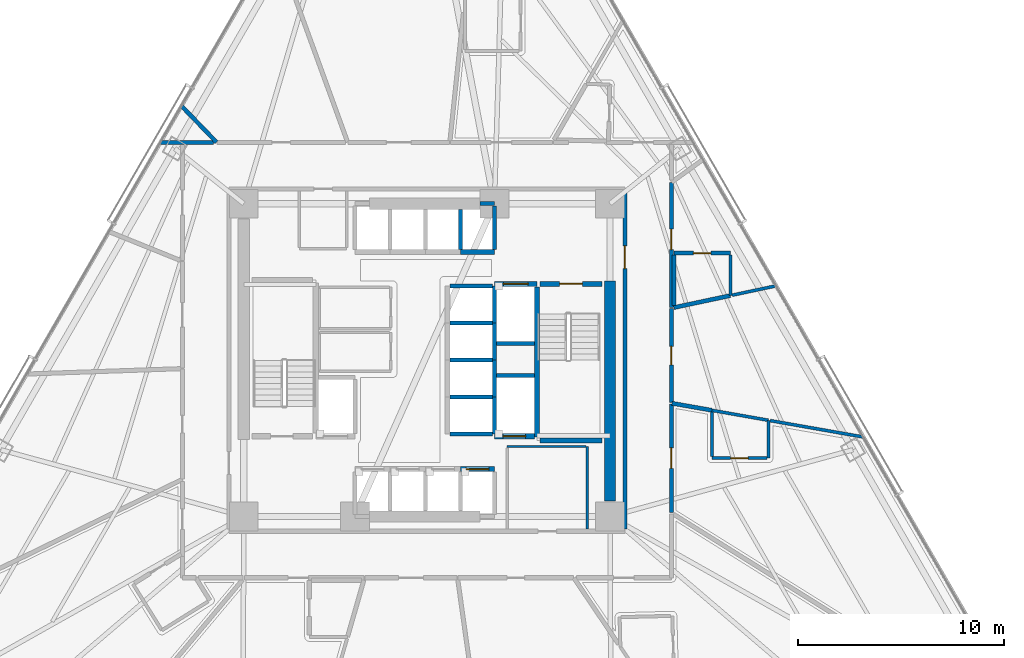
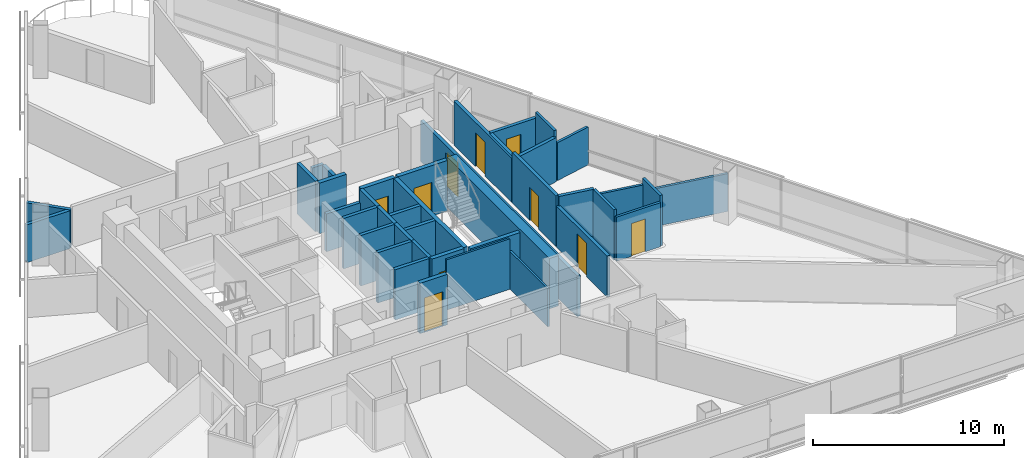
# One storey, part 9 of 17: 41 walls, 10 doors, 10 openings.
"""IFC4 building model written with IfcOpenShell, lengths in metres."""

from ifc_helpers import new_model, si_unit, direction, frame, frame_2d, origin, place, context, subcontext, project, spatial, rectangle, extrude, material, layer, layer_set, type_object, element, fill, save


model = new_model("IFC4")

# Units and contexts
model_context = context("Model", 3, precision=1e-05, world=origin(), true_north=direction((0.0, 1.0)))
body_context = subcontext(model_context, "Body", "Model", "MODEL_VIEW")
ifc_project = project(units=[si_unit("LENGTHUNIT", "METRE"), si_unit("AREAUNIT", "SQUARE_METRE"), si_unit("VOLUMEUNIT", "CUBIC_METRE"), si_unit("PLANEANGLEUNIT", "RADIAN"), si_unit("MASSUNIT", "GRAM", prefix="KILO")], contexts=[model_context])

# Site, building, storey
site_placement = place(None, origin())
site = spatial("IfcSite", under=ifc_project, at=site_placement, CompositionType="ELEMENT")
building_placement = place(site_placement, origin())
building = spatial("IfcBuilding", under=site, at=building_placement, Name="Tharavind Bronze Gate", CompositionType="ELEMENT")
storey_placement = place(building_placement, frame((0.0, 0.0, 35.25)))
storey = spatial("IfcBuildingStorey", under=building, at=storey_placement, Name="L07", CompositionType="ELEMENT", Elevation=35.25)

# Wall, opening, door
ifc_material_1 = material(Name="Aerated Concrete Block", Category="concrete")
ifc_layer_1 = layer(ifc_material_1, 0.199951171875)
ifc_layer_set_1 = layer_set([ifc_layer_1], Name="Aerated Concrete Block")
wall_type_1 = type_object("IfcWallType", Name="FIRE RATED PARTITION 200", PredefinedType="PARTITIONING", material=ifc_layer_set_1)
wall_1_placement = place(storey_placement, frame((9.6201171875, -8.199951171875, 0.0), z_axis=(0.0, 0.0, 1.0), x_axis=(0.0, 1.0, 0.0)))
wall_1 = element("IfcWall", 1, at=wall_1_placement, inside=storey, type_object=wall_type_1, Name="L07 east core corridor wall", PredefinedType="PARTITIONING", context=body_context, shape_type="SweptSolid", body=[
    extrude(rectangle(XDim=16.39990234375, YDim=0.199951171875, at=frame_2d((8.199951171875, 0.0))), origin(), (0.0, 0.0, 1.0), 2.6201171875),
])
opening_1_placement = place(wall_1_placement, frame((12.64990234375, 0.0, 0.0)))
opening_1 = element("IfcOpeningElement", 2, at=opening_1_placement, cuts=wall_1, Name="Opening ID01", PredefinedType="OPENING", context=body_context, shape_type="SweptSolid", body=[
    extrude(rectangle(XDim=1.10009765625, YDim=2.14990234375, at=frame_2d((0.550048828125, 1.074951171875))), frame((0.0, 0.11009765625, 0.0), z_axis=(0.0, -1.0, 0.0), x_axis=(1.0, 0.0, 0.0)), (0.0, 0.0, 1.0), 0.219951171875),
])
ifc_material_2 = material(Name="Fire-Rated Steel", Category="steel")
door_type_1 = type_object("IfcDoorType", Name="STAIR CORE FIRE DOOR 1100X2150", OperationType="SINGLE_SWING_LEFT", PredefinedType="DOOR", material=ifc_material_2)
door_1_placement = place(opening_1_placement, frame((1.10009765625, 0.0, 0.0), z_axis=(0.0, 0.0, 1.0), x_axis=(-1.0, 0.0, 0.0)))
door_1 = element("IfcDoor", 3, at=door_1_placement, inside=storey, type_object=door_type_1, Name="L07 north east stair lobby fire door", OperationType="SINGLE_SWING_LEFT", OverallHeight=2.14990234375, OverallWidth=1.10009765625, PredefinedType="DOOR", context=body_context, shape_type="SweptSolid", body=[
    extrude(rectangle(XDim=1.10009765625, YDim=2.14990234375, at=frame_2d((0.550048828125, 1.074951171875))), frame((0.0, 0.02490234375, 0.0), z_axis=(0.0, -1.0, 0.0), x_axis=(1.0, 0.0, 0.0)), (0.0, 0.0, 1.0), 0.050048828125),
])
fill(opening_1, door_1)

wall_2_placement = place(storey_placement, frame((12.0, 5.20068359375, 0.0), z_axis=(0.0, 0.0, 1.0), x_axis=(1.0, 0.0, 0.0)))
wall_2 = element("IfcWall", 4, at=wall_2_placement, inside=storey, type_object=wall_type_1, Name="L07 En-Suite Bathroom partition", PredefinedType="PARTITIONING", context=body_context, shape_type="SweptSolid", body=[
    extrude(rectangle(XDim=2.75, YDim=0.199951171875, at=frame_2d((1.375, 0.0))), origin(), (0.0, 0.0, 1.0), 2.820068359375),
])
opening_2_placement = place(wall_2_placement, frame((0.949951171875, 0.0, 0.0)))
opening_2 = element("IfcOpeningElement", 5, at=opening_2_placement, cuts=wall_2, Name="Opening ID06", PredefinedType="OPENING", context=body_context, shape_type="SweptSolid", body=[
    extrude(rectangle(XDim=0.85009765625, YDim=2.10009765625, at=frame_2d((0.425048828125, 1.050048828125))), frame((0.0, 0.11009765625, 0.0), z_axis=(0.0, -1.0, 0.0), x_axis=(1.0, 0.0, 0.0)), (0.0, 0.0, 1.0), 0.219951171875),
])
ifc_material_3 = material(Name="Moisture-Resistant Timber", Category="wood")
door_type_2 = type_object("IfcDoorType", Name="BATHROOM PRIVACY DOOR 850X2100", OperationType="SINGLE_SWING_RIGHT", PredefinedType="DOOR", material=ifc_material_3)
door_2_placement = place(opening_2_placement, origin())
door_2 = element("IfcDoor", 6, at=door_2_placement, inside=storey, type_object=door_type_2, Name="L07 En-Suite Bathroom door", OperationType="SINGLE_SWING_RIGHT", OverallHeight=2.10009765625, OverallWidth=0.85009765625, PredefinedType="DOOR", context=body_context, shape_type="SweptSolid", body=[
    extrude(rectangle(XDim=0.85009765625, YDim=2.10009765625, at=frame_2d((0.425048828125, 1.050048828125))), frame((0.0, 0.02490234375, 0.0), z_axis=(0.0, -1.0, 0.0), x_axis=(1.0, 0.0, 0.0)), (0.0, 0.0, 1.0), 0.050048828125),
])
fill(opening_2, door_2)

# Walls
wall_3_placement = place(storey_placement, frame((14.75, 3.13525390625, 0.0), z_axis=(0.0, 0.0, 1.0), x_axis=(-0.978151787969, -0.207891990447, 0.0)))
element("IfcWall", 7, at=wall_3_placement, inside=storey, type_object=wall_type_1, Name="L07 En-Suite Bathroom partition", PredefinedType="PARTITIONING", context=body_context, shape_type="SweptSolid", body=[
    extrude(rectangle(XDim=2.8115234375, YDim=0.199951171875, at=frame_2d((1.40576171875, 0.0))), origin(), (0.0, 0.0, 1.0), 2.820068359375),
])
wall_4_placement = place(storey_placement, frame((12.0, 2.657958984375, 0.0), z_axis=(0.0, 0.0, 1.0), x_axis=(0.0, 1.0, 0.0)))
element("IfcWall", 8, at=wall_4_placement, inside=storey, type_object=wall_type_1, Name="L07 En-Suite Bathroom partition", PredefinedType="PARTITIONING", context=body_context, shape_type="SweptSolid", body=[
    extrude(rectangle(XDim=2.437744140625, YDim=0.199951171875, at=frame_2d((1.21875, 0.0))), origin(), (0.0, 0.0, 1.0), 2.820068359375),
])

# Wall, opening, door
wall_5_placement = place(storey_placement, frame((11.8798828125, 2.555908203125, 0.0), z_axis=(0.0, 0.0, 1.0), x_axis=(0.0, 1.0, 0.0)))
wall_5 = element("IfcWall", 9, at=wall_5_placement, inside=storey, type_object=wall_type_1, Name="L07 Hotel Deluxe Room partition", PredefinedType="PARTITIONING", context=body_context, shape_type="SweptSolid", body=[
    extrude(rectangle(XDim=6.062744140625, YDim=0.199951171875, at=frame_2d((3.03125, 0.0))), origin(), (0.0, 0.0, 1.0), 2.820068359375),
])
opening_3_placement = place(wall_5_placement, frame((2.81103515625, 0.0, 0.0)))
opening_3 = element("IfcOpeningElement", 10, at=opening_3_placement, cuts=wall_5, Name="Opening ID03", PredefinedType="OPENING", context=body_context, shape_type="SweptSolid", body=[
    extrude(rectangle(XDim=1.0, YDim=2.14990234375, at=frame_2d((0.5, 1.074951171875))), frame((0.0, 0.11009765625, 0.0), z_axis=(0.0, -1.0, 0.0), x_axis=(1.0, 0.0, 0.0)), (0.0, 0.0, 1.0), 0.219951171875),
])
ifc_material_4 = material(Name="Solid Timber Veneer", Category="wood")
door_type_3 = type_object("IfcDoorType", Name="HOTEL SUITE ENTRANCE DOOR 1000X2150", OperationType="SINGLE_SWING_LEFT", PredefinedType="DOOR", material=ifc_material_4)
door_3_placement = place(opening_3_placement, origin())
door_3 = element("IfcDoor", 11, at=door_3_placement, inside=storey, type_object=door_type_3, Name="L07 Hotel Deluxe Room door", OperationType="SINGLE_SWING_LEFT", OverallHeight=2.14990234375, OverallWidth=1.0, PredefinedType="DOOR", context=body_context, shape_type="SweptSolid", body=[
    extrude(rectangle(XDim=1.0, YDim=2.14990234375, at=frame_2d((0.5, 1.074951171875))), frame((0.0, 0.02490234375, 0.0), z_axis=(0.0, -1.0, 0.0), x_axis=(1.0, 0.0, 0.0)), (0.0, 0.0, 1.0), 0.050048828125),
])
fill(opening_3, door_3)

# Walls
wall_6_placement = place(storey_placement, frame((-10.224365234375, 10.587646484375, 0.0), z_axis=(0.0, 0.0, 1.0), x_axis=(-0.694628613474, 0.719368535135, 0.0)))
element("IfcWall", 12, at=wall_6_placement, inside=storey, type_object=wall_type_1, Name="L07 Housekeeping & Linen Room partition", PredefinedType="PARTITIONING", context=body_context, shape_type="SweptSolid", body=[
    extrude(rectangle(XDim=2.427490234375, YDim=0.199951171875, at=frame_2d((1.2138671875, 0.0))), origin(), (0.0, 0.0, 1.0), 2.419921875),
])
wall_7_placement = place(storey_placement, frame((-10.363037109375, 10.580078125, 0.0), z_axis=(0.0, 0.0, 1.0), x_axis=(-1.0, 0.0, 0.0)))
element("IfcWall", 13, at=wall_7_placement, inside=storey, type_object=wall_type_1, Name="L07 Hotel Guest Lounge partition", PredefinedType="PARTITIONING", context=body_context, shape_type="SweptSolid", body=[
    extrude(rectangle(XDim=2.5810546875, YDim=0.199951171875, at=frame_2d((1.29052734375, 0.0))), origin(), (0.0, 0.0, 1.0), 2.419921875),
])

# Wall, opening, door
wall_8_placement = place(storey_placement, frame((11.8798828125, -7.40966796875, 0.0), z_axis=(0.0, 0.0, 1.0), x_axis=(0.0, 1.0, 0.0)))
wall_8 = element("IfcWall", 14, at=wall_8_placement, inside=storey, type_object=wall_type_1, Name="L07 Deluxe Hotel Suite partition", PredefinedType="PARTITIONING", context=body_context, shape_type="SweptSolid", body=[
    extrude(rectangle(XDim=5.28515625, YDim=0.199951171875, at=frame_2d((2.642578125, 0.0))), origin(), (0.0, 0.0, 1.0), 2.6201171875),
])
opening_4_placement = place(wall_8_placement, frame((2.14306640625, 0.0, 0.0)))
opening_4 = element("IfcOpeningElement", 15, at=opening_4_placement, cuts=wall_8, Name="Opening ID03", PredefinedType="OPENING", context=body_context, shape_type="SweptSolid", body=[
    extrude(rectangle(XDim=1.0, YDim=2.14990234375, at=frame_2d((0.5, 1.074951171875))), frame((0.0, 0.11009765625, 0.0), z_axis=(0.0, -1.0, 0.0), x_axis=(1.0, 0.0, 0.0)), (0.0, 0.0, 1.0), 0.219951171875),
])
door_4_placement = place(opening_4_placement, origin())
door_4 = element("IfcDoor", 16, at=door_4_placement, inside=storey, type_object=door_type_3, Name="L07 Deluxe Hotel Suite door", OperationType="SINGLE_SWING_LEFT", OverallHeight=2.14990234375, OverallWidth=1.0, PredefinedType="DOOR", context=body_context, shape_type="SweptSolid", body=[
    extrude(rectangle(XDim=1.0, YDim=2.14990234375, at=frame_2d((0.5, 1.074951171875))), frame((0.0, 0.02490234375, 0.0), z_axis=(0.0, -1.0, 0.0), x_axis=(1.0, 0.0, 0.0)), (0.0, 0.0, 1.0), 0.050048828125),
])
fill(opening_4, door_4)

# Wall
wall_9_placement = place(storey_placement, frame((11.9091796875, -2.099853515625, 0.0), z_axis=(0.0, 0.0, 1.0), x_axis=(0.984803505292, -0.173672265965, 0.0)))
element("IfcWall", 17, at=wall_9_placement, inside=storey, type_object=wall_type_1, Name="L07 Deluxe Hotel Suite partition", PredefinedType="PARTITIONING", context=body_context, shape_type="SweptSolid", body=[
    extrude(rectangle(XDim=1.970947265625, YDim=0.199951171875, at=frame_2d((0.9853515625, 0.0))), origin(), (0.0, 0.0, 1.0), 3.22509765625),
])

# Wall, opening, door
wall_10_placement = place(storey_placement, frame((11.8798828125, -2.07373046875, 0.0), z_axis=(0.0, 0.0, 1.0), x_axis=(0.0, 1.0, 0.0)))
wall_10 = element("IfcWall", 18, at=wall_10_placement, inside=storey, type_object=wall_type_1, Name="L07 Tea Pantry partition", PredefinedType="PARTITIONING", context=body_context, shape_type="SweptSolid", body=[
    extrude(rectangle(XDim=4.57861328125, YDim=0.199951171875, at=frame_2d((2.289306640625, 0.0))), origin(), (0.0, 0.0, 1.0), 3.22509765625),
])
opening_5_placement = place(wall_10_placement, frame((1.839111328125, 0.0, 0.0)))
opening_5 = element("IfcOpeningElement", 19, at=opening_5_placement, cuts=wall_10, Name="Opening ID07", PredefinedType="OPENING", context=body_context, shape_type="SweptSolid", body=[
    extrude(rectangle(XDim=0.89990234375, YDim=2.10009765625, at=frame_2d((0.449951171875, 1.050048828125))), frame((0.0, 0.11009765625, 0.0), z_axis=(0.0, -1.0, 0.0), x_axis=(1.0, 0.0, 0.0)), (0.0, 0.0, 1.0), 0.219951171875),
])
ifc_material_5 = material(Name="Galvanised Fire Steel", Category="steel")
door_type_4 = type_object("IfcDoorType", Name="PLANT AND RISER FIRE DOOR 900X2100", OperationType="SINGLE_SWING_LEFT", PredefinedType="DOOR", material=ifc_material_5)
door_5_placement = place(opening_5_placement, origin())
door_5 = element("IfcDoor", 20, at=door_5_placement, inside=storey, type_object=door_type_4, Name="L07 Tea Pantry door", OperationType="SINGLE_SWING_LEFT", OverallHeight=2.10009765625, OverallWidth=0.89990234375, PredefinedType="DOOR", context=body_context, shape_type="SweptSolid", body=[
    extrude(rectangle(XDim=0.89990234375, YDim=2.10009765625, at=frame_2d((0.449951171875, 1.050048828125))), frame((0.0, 0.02490234375, 0.0), z_axis=(0.0, -1.0, 0.0), x_axis=(1.0, 0.0, 0.0)), (0.0, 0.0, 1.0), 0.050048828125),
])
fill(opening_5, door_5)

# Walls
ifc_material_6 = material(Name="Metal Stud Gypsum Partition", Category="gypsum")
ifc_layer_2 = layer(ifc_material_6, 0.1201171875)
ifc_layer_set_2 = layer_set([ifc_layer_2], Name="Metal Stud Gypsum Partition")
wall_type_2 = type_object("IfcWallType", Name="INTERIOR PARTITION WALL 120", PredefinedType="PARTITIONING", material=ifc_layer_set_2)
wall_11_placement = place(storey_placement, frame((7.800048828125, -8.215087890625, 0.0), z_axis=(0.0, 0.0, 1.0), x_axis=(0.0, 1.0, 0.0)))
element("IfcWall", 21, at=wall_11_placement, inside=storey, type_object=wall_type_2, Name="L07 Telecom Metering Room partition 2", PredefinedType="PARTITIONING", context=body_context, shape_type="SweptSolid", body=[
    extrude(rectangle(XDim=4.01513671875, YDim=0.1201171875, at=frame_2d((2.007568359375, 0.0))), origin(), (0.0, 0.0, 1.0), 2.419921875),
])
wall_12_placement = place(storey_placement, frame((7.735107421875, -4.199951171875, 0.0), z_axis=(0.0, 0.0, 1.0), x_axis=(-1.0, 0.0, 0.0)))
element("IfcWall", 22, at=wall_12_placement, inside=storey, type_object=wall_type_2, Name="L07 Telecom Metering Room partition 3", PredefinedType="PARTITIONING", context=body_context, shape_type="SweptSolid", body=[
    extrude(rectangle(XDim=3.835205078125, YDim=0.1201171875, at=frame_2d((1.91748046875, 0.0))), origin(), (0.0, 0.0, 1.0), 3.22509765625),
])
ifc_material_7 = material(Name="Twin Stud Acoustic Gypsum", Category="gypsum")
ifc_layer_3 = layer(ifc_material_7, 0.14990234375)
ifc_layer_set_3 = layer_set([ifc_layer_3], Name="Twin Stud Acoustic Gypsum")
wall_type_3 = type_object("IfcWallType", Name="INTERIOR PARTITION WALL 150", PredefinedType="PARTITIONING", material=ifc_layer_set_3)
wall_13_placement = place(storey_placement, frame((14.75, 5.095703125, 0.0), z_axis=(0.0, 0.0, 1.0), x_axis=(0.0, -1.0, 0.0)))
element("IfcWall", 23, at=wall_13_placement, inside=storey, type_object=wall_type_3, Name="L07 En-Suite Bathroom partition", PredefinedType="PARTITIONING", context=body_context, shape_type="SweptSolid", body=[
    extrude(rectangle(XDim=1.96044921875, YDim=0.14990234375, at=frame_2d((0.980224609375, 0.0))), origin(), (0.0, 0.0, 1.0), 3.22509765625),
])
wall_14_placement = place(storey_placement, frame((13.85009765625, -2.442138671875, 0.0), z_axis=(0.0, 0.0, 1.0), x_axis=(0.984809952442, -0.173635703618, 0.0)))
element("IfcWall", 24, at=wall_14_placement, inside=storey, type_object=wall_type_3, Name="L07 En-Suite Bathroom partition", PredefinedType="PARTITIONING", context=body_context, shape_type="SweptSolid", body=[
    extrude(rectangle(XDim=2.79248046875, YDim=0.14990234375, at=frame_2d((1.396240234375, 0.0))), origin(), (0.0, 0.0, 1.0), 2.820068359375),
])
wall_15_placement = place(storey_placement, frame((16.60009765625, -2.927001953125, 0.0), z_axis=(0.0, 0.0, 1.0), x_axis=(0.0, -1.0, 0.0)))
element("IfcWall", 25, at=wall_15_placement, inside=storey, type_object=wall_type_3, Name="L07 En-Suite Bathroom partition", PredefinedType="PARTITIONING", context=body_context, shape_type="SweptSolid", body=[
    extrude(rectangle(XDim=1.8388671875, YDim=0.14990234375, at=frame_2d((0.91943359375, 0.0))), origin(), (0.0, 0.0, 1.0), 3.22509765625),
])

# Wall, opening, door
wall_16_placement = place(storey_placement, frame((16.52001953125, -4.765869140625, 0.0), z_axis=(0.0, 0.0, 1.0), x_axis=(-1.0, 0.0, 0.0)))
wall_16 = element("IfcWall", 26, at=wall_16_placement, inside=storey, type_object=wall_type_3, Name="L07 En-Suite Bathroom partition", PredefinedType="PARTITIONING", context=body_context, shape_type="SweptSolid", body=[
    extrude(rectangle(XDim=2.669921875, YDim=0.14990234375, at=frame_2d((1.3349609375, 0.0))), origin(), (0.0, 0.0, 1.0), 2.820068359375),
])
opening_6_placement = place(wall_16_placement, frame((0.909912109375, 0.0, 0.0)))
opening_6 = element("IfcOpeningElement", 27, at=opening_6_placement, cuts=wall_16, Name="Opening ID06", PredefinedType="OPENING", context=body_context, shape_type="SweptSolid", body=[
    extrude(rectangle(XDim=0.85009765625, YDim=2.10009765625, at=frame_2d((0.425048828125, 1.050048828125))), frame((0.0, 0.084951171875, 0.0), z_axis=(0.0, -1.0, 0.0), x_axis=(1.0, 0.0, 0.0)), (0.0, 0.0, 1.0), 0.16990234375),
])
door_6_placement = place(opening_6_placement, origin())
door_6 = element("IfcDoor", 28, at=door_6_placement, inside=storey, type_object=door_type_2, Name="L07 En-Suite Bathroom door", OperationType="SINGLE_SWING_RIGHT", OverallHeight=2.10009765625, OverallWidth=0.85009765625, PredefinedType="DOOR", context=body_context, shape_type="SweptSolid", body=[
    extrude(rectangle(XDim=0.85009765625, YDim=2.10009765625, at=frame_2d((0.425048828125, 1.050048828125))), frame((0.0, 0.02490234375, 0.0), z_axis=(0.0, -1.0, 0.0), x_axis=(1.0, 0.0, 0.0)), (0.0, 0.0, 1.0), 0.050048828125),
])
fill(opening_6, door_6)

# Walls
wall_17_placement = place(storey_placement, frame((13.85009765625, -4.685791015625, 0.0), z_axis=(0.0, 0.0, 1.0), x_axis=(0.0, 1.0, 0.0)))
element("IfcWall", 29, at=wall_17_placement, inside=storey, type_object=wall_type_3, Name="L07 En-Suite Bathroom partition", PredefinedType="PARTITIONING", context=body_context, shape_type="SweptSolid", body=[
    extrude(rectangle(XDim=2.16259765625, YDim=0.14990234375, at=frame_2d((1.081298828125, 0.0))), origin(), (0.0, 0.0, 1.0), 3.22509765625),
])
wall_18_placement = place(storey_placement, frame((16.97021484375, 3.607177734375, 0.0), z_axis=(0.0, 0.0, 1.0), x_axis=(-0.978131050842, -0.207989536706, 0.0)))
element("IfcWall", 30, at=wall_18_placement, inside=storey, type_object=wall_type_3, Name="L07 Hotel Deluxe Room partition", PredefinedType="PARTITIONING", context=body_context, shape_type="SweptSolid", body=[
    extrude(rectangle(XDim=2.18798828125, YDim=0.14990234375, at=frame_2d((1.093994140625, 0.0))), origin(), (0.0, 0.0, 1.0), 2.419921875),
])
wall_19_placement = place(storey_placement, frame((16.679931640625, -2.941162109375, 0.0), z_axis=(0.0, 0.0, 1.0), x_axis=(0.984806573987, -0.173654864121, 0.0)))
element("IfcWall", 31, at=wall_19_placement, inside=storey, type_object=wall_type_3, Name="L07 Deluxe Hotel Suite partition", PredefinedType="PARTITIONING", context=body_context, shape_type="SweptSolid", body=[
    extrude(rectangle(XDim=4.59033203125, YDim=0.14990234375, at=frame_2d((2.295166015625, 0.0))), origin(), (0.0, 0.0, 1.0), 2.419921875),
])
ifc_material_8 = material(Name="Concrete C50/60", Category="concrete")
ifc_layer_4 = layer(ifc_material_8, 0.25)
ifc_layer_set_4 = layer_set([ifc_layer_4], Name="Concrete C50/60")
wall_type_4 = type_object("IfcWallType", Name="RC CORE SHEAR WALL 250", PredefinedType="SHEAR", material=ifc_layer_set_4)
wall_20_placement = place(storey_placement, frame((5.35009765625, -3.75, 0.0), z_axis=(0.0, 0.0, 1.0), x_axis=(0.0, 1.0, 0.0)))
element("IfcWall", 32, at=wall_20_placement, inside=storey, type_object=wall_type_4, Name="L07 ST2 shaft west wall", PredefinedType="SHEAR", context=body_context, shape_type="SweptSolid", body=[
    extrude(rectangle(XDim=7.300048828125, YDim=0.25, at=frame_2d((3.64990234375, 0.0))), origin(), (0.0, 0.0, 1.0), 3.22509765625),
])

# Wall, opening, door
wall_21_placement = place(storey_placement, frame((5.5, 3.699951171875, 0.0), z_axis=(0.0, 0.0, 1.0), x_axis=(1.0, 0.0, 0.0)))
wall_21 = element("IfcWall", 33, at=wall_21_placement, inside=storey, type_object=wall_type_4, Name="L07 ST2 shaft north wall", PredefinedType="SHEAR", context=body_context, shape_type="SweptSolid", body=[
    extrude(rectangle(XDim=3.0, YDim=0.25, at=frame_2d((1.5, 0.0))), origin(), (0.0, 0.0, 1.0), 3.22509765625),
])
opening_7_placement = place(wall_21_placement, frame((0.949951171875, 0.0, 0.0)))
opening_7 = element("IfcOpeningElement", 34, at=opening_7_placement, cuts=wall_21, Name="Opening ID01", PredefinedType="OPENING", context=body_context, shape_type="SweptSolid", body=[
    extrude(rectangle(XDim=1.10009765625, YDim=2.14990234375, at=frame_2d((0.550048828125, 1.074951171875))), frame((0.0, 0.135, 0.0), z_axis=(0.0, -1.0, 0.0), x_axis=(1.0, 0.0, 0.0)), (0.0, 0.0, 1.0), 0.27),
])
door_7_placement = place(opening_7_placement, frame((1.10009765625, 0.0, 0.0), z_axis=(0.0, 0.0, 1.0), x_axis=(-1.0, 0.0, 0.0)))
door_7 = element("IfcDoor", 35, at=door_7_placement, inside=storey, type_object=door_type_1, Name="L07 exit stair ST2 fire door", OperationType="SINGLE_SWING_LEFT", OverallHeight=2.14990234375, OverallWidth=1.10009765625, PredefinedType="DOOR", context=body_context, shape_type="SweptSolid", body=[
    extrude(rectangle(XDim=1.10009765625, YDim=2.14990234375, at=frame_2d((0.550048828125, 1.074951171875))), frame((0.0, 0.02490234375, 0.0), z_axis=(0.0, -1.0, 0.0), x_axis=(1.0, 0.0, 0.0)), (0.0, 0.0, 1.0), 0.050048828125),
])
fill(opening_7, door_7)

# Wall
wall_22_placement = place(storey_placement, frame((5.5, -3.89990234375, 0.0), z_axis=(0.0, 0.0, 1.0), x_axis=(1.0, 0.0, 0.0)))
element("IfcWall", 36, at=wall_22_placement, inside=storey, type_object=wall_type_4, Name="L07 ST2 shaft south wall", PredefinedType="SHEAR", context=body_context, shape_type="SweptSolid", body=[
    extrude(rectangle(XDim=3.0, YDim=0.25, at=frame_2d((1.5, 0.0))), origin(), (0.0, 0.0, 1.0), 3.22509765625),
])

# Wall, opening, door
wall_23_placement = place(storey_placement, frame((1.637451171875, -5.300048828125, 0.0), z_axis=(0.0, 0.0, 1.0), x_axis=(1.0, 0.0, 0.0)))
wall_23 = element("IfcWall", 37, at=wall_23_placement, inside=storey, type_object=wall_type_4, Name="L07 lift PL4 shaft front wall", PredefinedType="SHEAR", context=body_context, shape_type="SweptSolid", body=[
    extrude(rectangle(XDim=1.642578125, YDim=0.25, at=frame_2d((0.8212890625, 0.0))), origin(), (0.0, 0.0, 1.0), 3.22509765625),
])
opening_8_placement = place(wall_23_placement, frame((0.27099609375, 0.0, 0.0)))
opening_8 = element("IfcOpeningElement", 38, at=opening_8_placement, cuts=wall_23, Name="Opening LD01", PredefinedType="OPENING", context=body_context, shape_type="SweptSolid", body=[
    extrude(rectangle(XDim=1.10009765625, YDim=2.199951171875, at=frame_2d((0.550048828125, 1.10009765625))), frame((0.0, 0.135, 0.0), z_axis=(0.0, -1.0, 0.0), x_axis=(1.0, 0.0, 0.0)), (0.0, 0.0, 1.0), 0.27),
])
ifc_material_9 = material(Name="Brushed Bronze Stainless Steel", Category="steel")
door_type_5 = type_object("IfcDoorType", Name="LIFT LANDING SLIDING DOOR 1100X2200", OperationType="SLIDING_TO_LEFT", PredefinedType="DOOR", material=ifc_material_9)
door_8_placement = place(opening_8_placement, origin())
door_8 = element("IfcDoor", 39, at=door_8_placement, inside=storey, type_object=door_type_5, Name="L07 lift PL4 sliding landing door", OperationType="SLIDING_TO_LEFT", OverallHeight=2.199951171875, OverallWidth=1.10009765625, PredefinedType="DOOR", context=body_context, shape_type="SweptSolid", body=[
    extrude(rectangle(XDim=1.10009765625, YDim=2.199951171875, at=frame_2d((0.550048828125, 1.10009765625))), frame((0.0, 0.02490234375, 0.0), z_axis=(0.0, -1.0, 0.0), x_axis=(1.0, 0.0, 0.0)), (0.0, 0.0, 1.0), 0.050048828125),
])
fill(opening_8, door_8)

# Wall
wall_24_placement = place(storey_placement, frame((1.637451171875, 5.25, 0.0), z_axis=(0.0, 0.0, 1.0), x_axis=(1.0, 0.0, 0.0)))
element("IfcWall", 40, at=wall_24_placement, inside=storey, type_object=wall_type_4, Name="L07 lift PL8 shaft front wall", PredefinedType="SHEAR", context=body_context, shape_type="SweptSolid", body=[
    extrude(rectangle(XDim=1.642578125, YDim=0.25, at=frame_2d((0.8212890625, 0.0))), origin(), (0.0, 0.0, 1.0), 3.22509765625),
])

# Wall, opening, door
wall_25_placement = place(storey_placement, frame((3.280029296875, 3.699951171875, 0.0), z_axis=(0.0, 0.0, 1.0), x_axis=(1.0, 0.0, 0.0)))
wall_25 = element("IfcWall", 41, at=wall_25_placement, inside=storey, type_object=wall_type_4, Name="L07 lift FFL2 shaft front wall", PredefinedType="SHEAR", context=body_context, shape_type="SweptSolid", body=[
    extrude(rectangle(XDim=2.070068359375, YDim=0.25, at=frame_2d((1.03515625, 0.0))), origin(), (0.0, 0.0, 1.0), 3.22509765625),
])
opening_9_placement = place(wall_25_placement, frame((0.43505859375, 0.0, 0.0)))
opening_9 = element("IfcOpeningElement", 42, at=opening_9_placement, cuts=wall_25, Name="Opening LD02", PredefinedType="OPENING", context=body_context, shape_type="SweptSolid", body=[
    extrude(rectangle(XDim=1.199951171875, YDim=2.199951171875, at=frame_2d((0.60009765625, 1.10009765625))), frame((0.0, 0.135, 0.0), z_axis=(0.0, -1.0, 0.0), x_axis=(1.0, 0.0, 0.0)), (0.0, 0.0, 1.0), 0.27),
])
ifc_material_10 = material(Name="Brushed Stainless Steel", Category="steel")
door_type_6 = type_object("IfcDoorType", Name="FIREFIGHTING LIFT LANDING DOOR 1200X2200", OperationType="SLIDING_TO_RIGHT", PredefinedType="DOOR", material=ifc_material_10)
door_9_placement = place(opening_9_placement, origin())
door_9 = element("IfcDoor", 43, at=door_9_placement, inside=storey, type_object=door_type_6, Name="L07 lift FFL2 sliding landing door", OperationType="SLIDING_TO_RIGHT", OverallHeight=2.199951171875, OverallWidth=1.199951171875, PredefinedType="DOOR", context=body_context, shape_type="SweptSolid", body=[
    extrude(rectangle(XDim=1.199951171875, YDim=2.199951171875, at=frame_2d((0.60009765625, 1.10009765625))), frame((0.0, 0.02490234375, 0.0), z_axis=(0.0, -1.0, 0.0), x_axis=(1.0, 0.0, 0.0)), (0.0, 0.0, 1.0), 0.050048828125),
])
fill(opening_9, door_9)

wall_26_placement = place(storey_placement, frame((3.280029296875, -3.699951171875, 0.0), z_axis=(0.0, 0.0, 1.0), x_axis=(1.0, 0.0, 0.0)))
wall_26 = element("IfcWall", 44, at=wall_26_placement, inside=storey, type_object=wall_type_4, Name="L07 lift SVL1 shaft front wall", PredefinedType="SHEAR", context=body_context, shape_type="SweptSolid", body=[
    extrude(rectangle(XDim=1.93994140625, YDim=0.25, at=frame_2d((0.969970703125, 0.0))), origin(), (0.0, 0.0, 1.0), 3.22509765625),
])
opening_10_placement = place(wall_26_placement, frame((0.419921875, 0.0, 0.0)))
opening_10 = element("IfcOpeningElement", 45, at=opening_10_placement, cuts=wall_26, Name="Opening LD01", PredefinedType="OPENING", context=body_context, shape_type="SweptSolid", body=[
    extrude(rectangle(XDim=1.10009765625, YDim=2.199951171875, at=frame_2d((0.550048828125, 1.10009765625))), frame((0.0, 0.135, 0.0), z_axis=(0.0, -1.0, 0.0), x_axis=(1.0, 0.0, 0.0)), (0.0, 0.0, 1.0), 0.27),
])
door_10_placement = place(opening_10_placement, origin())
door_10 = element("IfcDoor", 46, at=door_10_placement, inside=storey, type_object=door_type_5, Name="L07 lift SVL1 sliding landing door", OperationType="SLIDING_TO_LEFT", OverallHeight=2.199951171875, OverallWidth=1.10009765625, PredefinedType="DOOR", context=body_context, shape_type="SweptSolid", body=[
    extrude(rectangle(XDim=1.10009765625, YDim=2.199951171875, at=frame_2d((0.550048828125, 1.10009765625))), frame((0.0, 0.02490234375, 0.0), z_axis=(0.0, -1.0, 0.0), x_axis=(1.0, 0.0, 0.0)), (0.0, 0.0, 1.0), 0.050048828125),
])
fill(opening_10, door_10)

# Walls
ifc_material_11 = material(Name="Concrete C60/75", Category="concrete")
ifc_layer_5 = layer(ifc_material_11, 0.550048828125)
ifc_layer_set_5 = layer_set([ifc_layer_5], Name="Concrete C60/75")
wall_type_5 = type_object("IfcWallType", Name="RC CORE SHEAR WALL 550", PredefinedType="SHEAR", material=ifc_layer_set_5)
wall_27_placement = place(storey_placement, frame((8.89990234375, -6.85009765625, 0.0), z_axis=(0.0, 0.0, 1.0), x_axis=(0.0, 1.0, 0.0)))
element("IfcWall", 47, at=wall_27_placement, inside=storey, type_object=wall_type_5, Name="L07 east core shear wall", PredefinedType="SHEAR", context=body_context, shape_type="SweptSolid", body=[
    extrude(rectangle(XDim=10.7001953125, YDim=0.550048828125, at=frame_2d((5.35009765625, 0.0))), origin(), (0.0, 0.0, 1.0), 3.22509765625),
])
ifc_material_12 = material(Name="Concrete C40/50", Category="concrete")
ifc_layer_6 = layer(ifc_material_12, 0.199951171875)
ifc_layer_set_6 = layer_set([ifc_layer_6], Name="Concrete C40/50")
wall_type_6 = type_object("IfcWallType", Name="SHAFT ENCLOSURE WALL 200", PredefinedType="PARTITIONING", material=ifc_layer_set_6)
wall_28_placement = place(storey_placement, frame((1.637451171875, 5.3798828125, 0.0), z_axis=(0.0, 0.0, 1.0), x_axis=(0.0, 1.0, 0.0)))
element("IfcWall", 48, at=wall_28_placement, inside=storey, type_object=wall_type_6, Name="L07 lift PL7 shaft E enclosure wall", PredefinedType="PARTITIONING", context=body_context, shape_type="SweptSolid", body=[
    extrude(rectangle(XDim=1.940185546875, YDim=0.199951171875, at=frame_2d((0.97021484375, 0.0))), origin(), (0.0, 0.0, 1.0), 3.22509765625),
])
wall_29_placement = place(storey_placement, frame((2.580078125, 7.60009765625, 0.0), z_axis=(0.0, 0.0, 1.0), x_axis=(1.0, 0.0, 0.0)))
element("IfcWall", 49, at=wall_29_placement, inside=storey, type_object=wall_type_6, Name="L07 lift PL8 shaft N enclosure wall", PredefinedType="PARTITIONING", context=body_context, shape_type="SweptSolid", body=[
    extrude(rectangle(XDim=0.699951171875, YDim=0.199951171875, at=frame_2d((0.35009765625, 0.0))), origin(), (0.0, 0.0, 1.0), 2.419921875),
])
wall_30_placement = place(storey_placement, frame((3.280029296875, 5.3798828125, 0.0), z_axis=(0.0, 0.0, 1.0), x_axis=(0.0, 1.0, 0.0)))
element("IfcWall", 50, at=wall_30_placement, inside=storey, type_object=wall_type_6, Name="L07 lift PL8 shaft E enclosure wall", PredefinedType="PARTITIONING", context=body_context, shape_type="SweptSolid", body=[
    extrude(rectangle(XDim=2.115234375, YDim=0.199951171875, at=frame_2d((1.0576171875, 0.0))), origin(), (0.0, 0.0, 1.0), 2.419921875),
])
wall_31_placement = place(storey_placement, frame((3.280029296875, -3.60009765625, 0.0), z_axis=(0.0, 0.0, 1.0), x_axis=(0.0, 1.0, 0.0)))
element("IfcWall", 51, at=wall_31_placement, inside=storey, type_object=wall_type_6, Name="L07 lift PL9 shaft E enclosure wall", PredefinedType="PARTITIONING", context=body_context, shape_type="SweptSolid", body=[
    extrude(rectangle(XDim=1.800048828125, YDim=0.199951171875, at=frame_2d((0.89990234375, 0.0))), origin(), (0.0, 0.0, 1.0), 3.22509765625),
])
for number, where, z_axis, x_axis, name in (
    (52, (1.1298828125, -3.60009765625, 0.0), (0.0, 0.0, 1.0), (1.0, 0.0, 0.0), "L07 lift PL9 shaft S enclosure wall"),
    (53, (1.1298828125, -1.800048828125, 0.0), (0.0, 0.0, 1.0), (1.0, 0.0, 0.0), "L07 lift PL9 shaft N enclosure wall"),
):
    element("IfcWall", number, at=place(storey_placement, frame(where, z_axis=z_axis, x_axis=x_axis)), inside=storey, type_object=wall_type_6, Name=name, PredefinedType="PARTITIONING", context=body_context, shape_type="SweptSolid", body=[
        extrude(rectangle(XDim=2.045166015625, YDim=0.199951171875, at=frame_2d((1.0224609375, 0.0))), origin(), (0.0, 0.0, 1.0), 3.22509765625),
    ])
wall_32_placement = place(storey_placement, frame((3.280029296875, -1.800048828125, 0.0), z_axis=(0.0, 0.0, 1.0), x_axis=(0.0, 1.0, 0.0)))
element("IfcWall", 54, at=wall_32_placement, inside=storey, type_object=wall_type_6, Name="L07 lift PL10 shaft E enclosure wall", PredefinedType="PARTITIONING", context=body_context, shape_type="SweptSolid", body=[
    extrude(rectangle(XDim=1.800048828125, YDim=0.199951171875, at=frame_2d((0.89990234375, 0.0))), origin(), (0.0, 0.0, 1.0), 3.22509765625),
])
wall_33_placement = place(storey_placement, frame((1.1298828125, 0.0, 0.0), z_axis=(0.0, 0.0, 1.0), x_axis=(1.0, 0.0, 0.0)))
element("IfcWall", 55, at=wall_33_placement, inside=storey, type_object=wall_type_6, Name="L07 lift PL10 shaft N enclosure wall", PredefinedType="PARTITIONING", context=body_context, shape_type="SweptSolid", body=[
    extrude(rectangle(XDim=2.045166015625, YDim=0.199951171875, at=frame_2d((1.0224609375, 0.0))), origin(), (0.0, 0.0, 1.0), 3.22509765625),
])
wall_34_placement = place(storey_placement, frame((3.280029296875, 0.0, 0.0), z_axis=(0.0, 0.0, 1.0), x_axis=(0.0, 1.0, 0.0)))
element("IfcWall", 56, at=wall_34_placement, inside=storey, type_object=wall_type_6, Name="L07 lift PL11 shaft E enclosure wall", PredefinedType="PARTITIONING", context=body_context, shape_type="SweptSolid", body=[
    extrude(rectangle(XDim=1.800048828125, YDim=0.199951171875, at=frame_2d((0.89990234375, 0.0))), origin(), (0.0, 0.0, 1.0), 3.22509765625),
])
wall_35_placement = place(storey_placement, frame((1.1298828125, 1.800048828125, 0.0), z_axis=(0.0, 0.0, 1.0), x_axis=(1.0, 0.0, 0.0)))
element("IfcWall", 57, at=wall_35_placement, inside=storey, type_object=wall_type_6, Name="L07 lift PL11 shaft N enclosure wall", PredefinedType="PARTITIONING", context=body_context, shape_type="SweptSolid", body=[
    extrude(rectangle(XDim=2.045166015625, YDim=0.199951171875, at=frame_2d((1.0224609375, 0.0))), origin(), (0.0, 0.0, 1.0), 3.22509765625),
])
wall_36_placement = place(storey_placement, frame((3.280029296875, 1.800048828125, 0.0), z_axis=(0.0, 0.0, 1.0), x_axis=(0.0, 1.0, 0.0)))
element("IfcWall", 58, at=wall_36_placement, inside=storey, type_object=wall_type_6, Name="L07 lift PL12 shaft E enclosure wall", PredefinedType="PARTITIONING", context=body_context, shape_type="SweptSolid", body=[
    extrude(rectangle(XDim=1.800048828125, YDim=0.199951171875, at=frame_2d((0.89990234375, 0.0))), origin(), (0.0, 0.0, 1.0), 3.22509765625),
])
wall_37_placement = place(storey_placement, frame((1.1298828125, 3.60009765625, 0.0), z_axis=(0.0, 0.0, 1.0), x_axis=(1.0, 0.0, 0.0)))
element("IfcWall", 59, at=wall_37_placement, inside=storey, type_object=wall_type_6, Name="L07 lift PL12 shaft N enclosure wall", PredefinedType="PARTITIONING", context=body_context, shape_type="SweptSolid", body=[
    extrude(rectangle(XDim=2.045166015625, YDim=0.199951171875, at=frame_2d((1.0224609375, 0.0))), origin(), (0.0, 0.0, 1.0), 2.419921875),
])
for number, where, z_axis, x_axis, name in (
    (60, (3.385009765625, 0.800048828125, 0.0), (0.0, 0.0, 1.0), (1.0, 0.0, 0.0), "L07 lift FFL2 shaft S enclosure wall"),
    (61, (3.385009765625, -0.75, 0.0), (0.0, 0.0, 1.0), (1.0, 0.0, 0.0), "L07 lift SVL1 shaft N enclosure wall"),
):
    element("IfcWall", number, at=place(storey_placement, frame(where, z_axis=z_axis, x_axis=x_axis)), inside=storey, type_object=wall_type_6, Name=name, PredefinedType="PARTITIONING", context=body_context, shape_type="SweptSolid", body=[
        extrude(rectangle(XDim=1.8349609375, YDim=0.199951171875, at=frame_2d((0.91748046875, 0.0))), origin(), (0.0, 0.0, 1.0), 3.22509765625),
    ])

save(model, "model.ifc")
